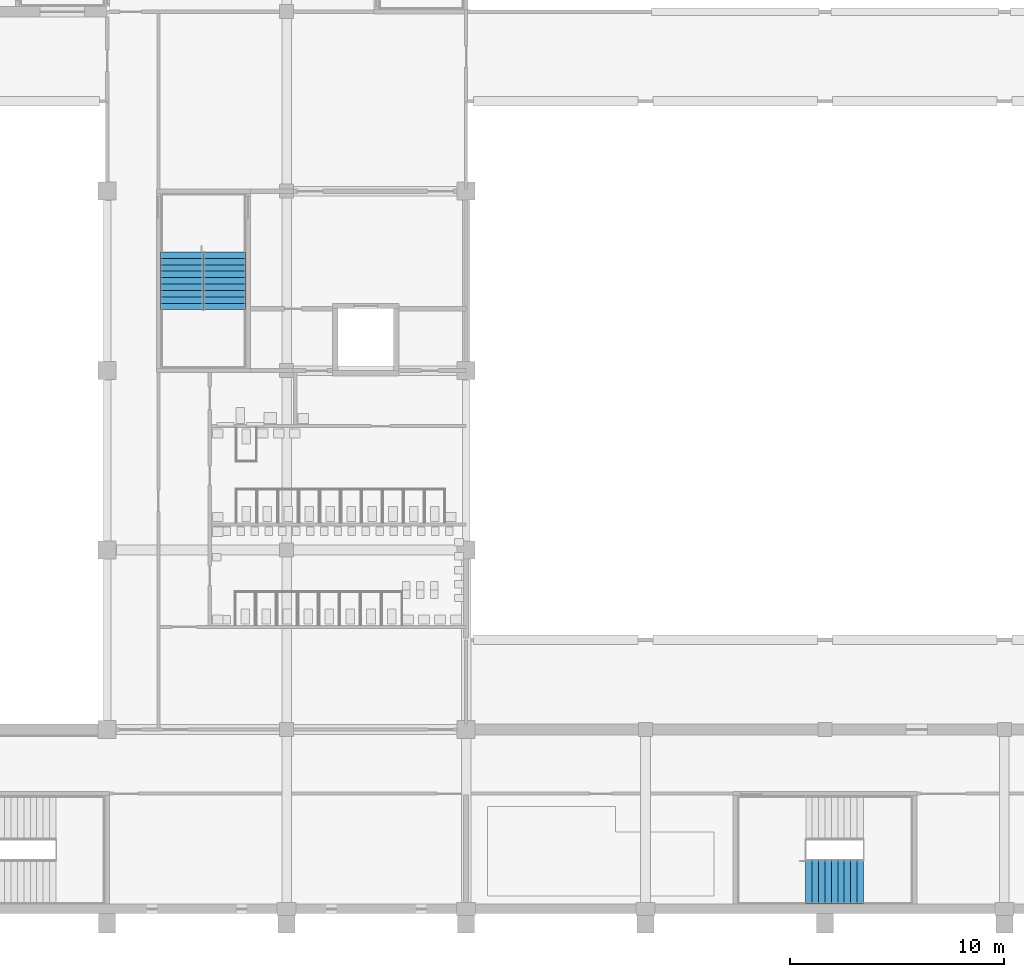
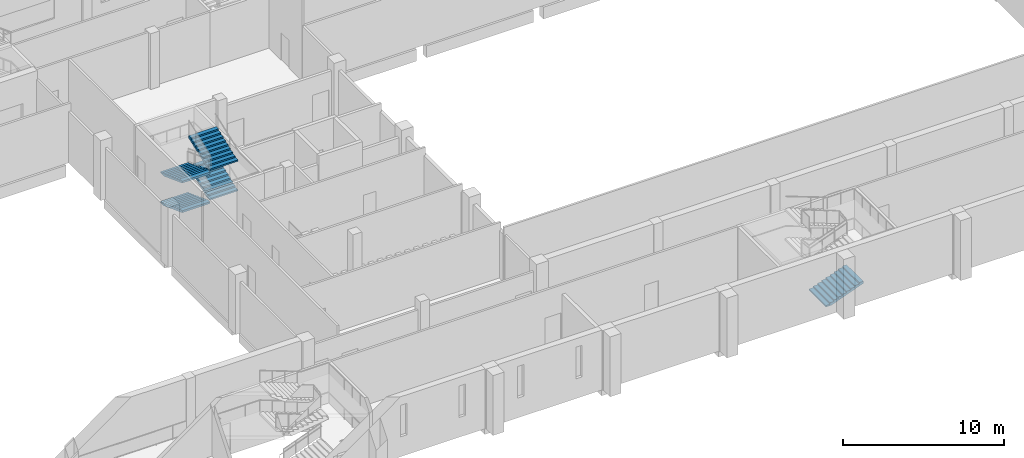
# One storey, part 41 of 64: 5 stair flights, 2 elements without a shape of their own.
"""IFC4 building model written with IfcOpenShell, lengths in metres."""

from ifc_helpers import new_model, si_unit, direction, frame, origin, place, context, subcontext, project, spatial, faceted_brep, material, type_object, element, aggregate, save


model = new_model("IFC4")

# Units and contexts
model_context = context("Model", 3, precision=1e-05, world=origin(), true_north=direction((0.0, 1.0)))
body_context = subcontext(model_context, "Body", "Model", "MODEL_VIEW")
ifc_project = project(units=[si_unit("LENGTHUNIT", "METRE"), si_unit("AREAUNIT", "SQUARE_METRE"), si_unit("VOLUMEUNIT", "CUBIC_METRE"), si_unit("PLANEANGLEUNIT", "RADIAN"), si_unit("MASSUNIT", "GRAM", prefix="KILO")], contexts=[model_context])

# Site, building, storey
site_placement = place(None, origin())
site = spatial("IfcSite", under=ifc_project, at=site_placement, CompositionType="ELEMENT")
building_placement = place(site_placement, origin())
building = spatial("IfcBuilding", under=site, at=building_placement, Name="Rulbaag Community and Learning Centre", CompositionType="ELEMENT")
storey_placement = place(building_placement, frame((0.0, 0.0, 5.39990234375)))
storey = spatial("IfcBuildingStorey", under=building, at=storey_placement, Name="L01", CompositionType="ELEMENT", Elevation=5.39990234375)

# Stair, stair flights
ifc_material = material(Name="Concrete M40", Category="concrete")
stair_type_1 = type_object("IfcStairType", Name="ST-2000 STAIR 2000 WIDE", PredefinedType="HALF_TURN_STAIR", material=ifc_material)
stair_1_placement = place(storey_placement, origin())
stair_1 = element("IfcStair", 1, at=stair_1_placement, inside=storey, type_object=stair_type_1, Name="Stair ST-H1 L01", PredefinedType="HALF_TURN_STAIR")
stair_flight_type_1 = type_object("IfcStairFlightType", Name="FL-2000 FLIGHT 2000 WIDE Concrete M40", PredefinedType="STRAIGHT", material=ifc_material)
stair_flight_1_placement = place(storey_placement, frame((28.699951171875, 30.75, 0.0), z_axis=(0.0, 0.0, 1.0), x_axis=(0.0, -1.0, 0.0)))
stair_flight_1 = element("IfcStairFlight", 2, at=stair_flight_1_placement, type_object=stair_flight_type_1, Name="ST-H1 flight 1", NumberOfRisers=10, NumberOfTreads=9, PredefinedType="STRAIGHT", RiserHeight=0.1125, TreadLength=0.3, context=body_context, shape_type="Brep", body=[
    faceted_brep([(0.3984375, -1.0, 0.0), (2.699951171875, -1.0, 0.863037109375), (2.699951171875, -1.0, 1.012451171875), (2.39990234375, -1.0, 1.012451171875), (2.39990234375, -1.0, 0.89990234375), (2.10009765625, -1.0, 0.89990234375), (2.10009765625, -1.0, 0.78759765625), (1.800048828125, -1.0, 0.78759765625), (1.800048828125, -1.0, 0.675048828125), (1.5, -1.0, 0.675048828125), (1.5, -1.0, 0.5625), (1.199951171875, -1.0, 0.5625), (1.199951171875, -1.0, 0.449951171875), (0.89990234375, -1.0, 0.449951171875), (0.89990234375, -1.0, 0.33740234375), (0.60009765625, -1.0, 0.33740234375), (0.60009765625, -1.0, 0.22509765625), (0.300048828125, -1.0, 0.22509765625), (0.300048828125, -1.0, 0.112548828125), (0.0, -1.0, 0.112548828125), (0.0, -1.0, 0.0), (0.0, 1.0, 0.0), (0.0, 1.0, 0.112548828125), (0.300048828125, 1.0, 0.112548828125), (0.300048828125, 1.0, 0.22509765625), (0.60009765625, 1.0, 0.22509765625), (0.60009765625, 1.0, 0.33740234375), (0.89990234375, 1.0, 0.33740234375), (0.89990234375, 1.0, 0.449951171875), (1.199951171875, 1.0, 0.449951171875), (1.199951171875, 1.0, 0.5625), (1.5, 1.0, 0.5625), (1.5, 1.0, 0.675048828125), (1.800048828125, 1.0, 0.675048828125), (1.800048828125, 1.0, 0.78759765625), (2.10009765625, 1.0, 0.78759765625), (2.10009765625, 1.0, 0.89990234375), (2.39990234375, 1.0, 0.89990234375), (2.39990234375, 1.0, 1.012451171875), (2.699951171875, 1.0, 1.012451171875), (2.699951171875, 1.0, 0.863037109375), (0.3984375, 1.0, 0.0), (0.0, -0.333251953125, 0.112548828125), (0.0, -0.333251953125, 0.0), (0.0, 0.333251953125, 0.112548828125), (0.0, 0.333251953125, 0.0), (0.300048828125, -0.333251953125, 0.112548828125), (0.300048828125, 0.333251953125, 0.112548828125), (0.300048828125, -0.333251953125, 0.22509765625), (0.300048828125, 0.333251953125, 0.22509765625), (0.60009765625, -0.333251953125, 0.22509765625), (0.60009765625, 0.333251953125, 0.22509765625), (0.60009765625, -0.333251953125, 0.33740234375), (0.60009765625, 0.333251953125, 0.33740234375), (0.89990234375, -0.333251953125, 0.33740234375), (0.89990234375, 0.333251953125, 0.33740234375), (0.89990234375, -0.333251953125, 0.449951171875), (0.89990234375, 0.333251953125, 0.449951171875), (1.199951171875, -0.333251953125, 0.449951171875), (1.199951171875, 0.333251953125, 0.449951171875), (1.199951171875, -0.333251953125, 0.5625), (1.199951171875, 0.333251953125, 0.5625), (1.5, -0.333251953125, 0.5625), (1.5, 0.333251953125, 0.5625), (1.5, -0.333251953125, 0.675048828125), (1.5, 0.333251953125, 0.675048828125), (1.800048828125, -0.333251953125, 0.675048828125), (1.800048828125, 0.333251953125, 0.675048828125), (1.800048828125, -0.333251953125, 0.78759765625), (1.800048828125, 0.333251953125, 0.78759765625), (2.10009765625, -0.333251953125, 0.78759765625), (2.10009765625, 0.333251953125, 0.78759765625), (2.10009765625, -0.333251953125, 0.89990234375), (2.10009765625, 0.333251953125, 0.89990234375), (2.39990234375, -0.333251953125, 0.89990234375), (2.39990234375, 0.333251953125, 0.89990234375), (2.39990234375, -0.333251953125, 1.012451171875), (2.39990234375, 0.333251953125, 1.012451171875), (2.699951171875, -0.333251953125, 1.012451171875), (2.699951171875, 0.333251953125, 1.012451171875), (2.699951171875, -0.333251953125, 0.863037109375), (2.699951171875, 0.333251953125, 0.863037109375), (0.3984375, -0.333251953125, 0.0), (0.3984375, 0.333251953125, 0.0)], [[[0, 1, 2, 3, 4, 5, 6, 7, 8, 9, 10, 11, 12, 13, 14, 15, 16, 17, 18, 19, 20]], [[21, 22, 23, 24, 25, 26, 27, 28, 29, 30, 31, 32, 33, 34, 35, 36, 37, 38, 39, 40, 41]], [[20, 19, 42, 43]], [[43, 42, 44, 45]], [[45, 44, 22, 21]], [[19, 18, 46, 42]], [[42, 46, 47, 44]], [[44, 47, 23, 22]], [[18, 17, 48, 46]], [[46, 48, 49, 47]], [[47, 49, 24, 23]], [[17, 16, 50, 48]], [[48, 50, 51, 49]], [[49, 51, 25, 24]], [[16, 15, 52, 50]], [[50, 52, 53, 51]], [[51, 53, 26, 25]], [[15, 14, 54, 52]], [[52, 54, 55, 53]], [[53, 55, 27, 26]], [[14, 13, 56, 54]], [[54, 56, 57, 55]], [[55, 57, 28, 27]], [[13, 12, 58, 56]], [[56, 58, 59, 57]], [[57, 59, 29, 28]], [[12, 11, 60, 58]], [[58, 60, 61, 59]], [[59, 61, 30, 29]], [[11, 10, 62, 60]], [[60, 62, 63, 61]], [[61, 63, 31, 30]], [[10, 9, 64, 62]], [[62, 64, 65, 63]], [[63, 65, 32, 31]], [[9, 8, 66, 64]], [[64, 66, 67, 65]], [[65, 67, 33, 32]], [[8, 7, 68, 66]], [[66, 68, 69, 67]], [[67, 69, 34, 33]], [[7, 6, 70, 68]], [[68, 70, 71, 69]], [[69, 71, 35, 34]], [[6, 5, 72, 70]], [[70, 72, 73, 71]], [[71, 73, 36, 35]], [[5, 4, 74, 72]], [[72, 74, 75, 73]], [[73, 75, 37, 36]], [[4, 3, 76, 74]], [[74, 76, 77, 75]], [[75, 77, 38, 37]], [[3, 2, 78, 76]], [[76, 78, 79, 77]], [[77, 79, 39, 38]], [[2, 1, 80, 78]], [[78, 80, 81, 79]], [[79, 81, 40, 39]], [[1, 0, 82, 80]], [[80, 82, 83, 81]], [[81, 83, 41, 40]], [[0, 20, 43, 82]], [[82, 43, 45, 83]], [[83, 45, 21, 41]]]),
])
stair_flight_2_placement = place(storey_placement, frame((30.699951171875, 28.050048828125, 1.125), z_axis=(0.0, 0.0, 1.0), x_axis=(0.0, 1.0, 0.0)))
stair_flight_2 = element("IfcStairFlight", 3, at=stair_flight_2_placement, type_object=stair_flight_type_1, Name="ST-H1 flight 2", NumberOfRisers=10, NumberOfTreads=9, PredefinedType="STRAIGHT", RiserHeight=0.1125, TreadLength=0.3, context=body_context, shape_type="Brep", body=[
    faceted_brep([(0.3984375, -1.0, 0.0), (2.699951171875, -1.0, 0.863037109375), (2.699951171875, -1.0, 1.012451171875), (2.39990234375, -1.0, 1.012451171875), (2.39990234375, -1.0, 0.89990234375), (2.10009765625, -1.0, 0.89990234375), (2.10009765625, -1.0, 0.78759765625), (1.800048828125, -1.0, 0.78759765625), (1.800048828125, -1.0, 0.675048828125), (1.5, -1.0, 0.675048828125), (1.5, -1.0, 0.5625), (1.199951171875, -1.0, 0.5625), (1.199951171875, -1.0, 0.449951171875), (0.89990234375, -1.0, 0.449951171875), (0.89990234375, -1.0, 0.33740234375), (0.60009765625, -1.0, 0.33740234375), (0.60009765625, -1.0, 0.22509765625), (0.300048828125, -1.0, 0.22509765625), (0.300048828125, -1.0, 0.112548828125), (0.0, -1.0, 0.112548828125), (0.0, -1.0, 0.0), (0.0, 1.0, 0.0), (0.0, 1.0, 0.112548828125), (0.300048828125, 1.0, 0.112548828125), (0.300048828125, 1.0, 0.22509765625), (0.60009765625, 1.0, 0.22509765625), (0.60009765625, 1.0, 0.33740234375), (0.89990234375, 1.0, 0.33740234375), (0.89990234375, 1.0, 0.449951171875), (1.199951171875, 1.0, 0.449951171875), (1.199951171875, 1.0, 0.5625), (1.5, 1.0, 0.5625), (1.5, 1.0, 0.675048828125), (1.800048828125, 1.0, 0.675048828125), (1.800048828125, 1.0, 0.78759765625), (2.10009765625, 1.0, 0.78759765625), (2.10009765625, 1.0, 0.89990234375), (2.39990234375, 1.0, 0.89990234375), (2.39990234375, 1.0, 1.012451171875), (2.699951171875, 1.0, 1.012451171875), (2.699951171875, 1.0, 0.863037109375), (0.3984375, 1.0, 0.0), (0.0, -0.333251953125, 0.112548828125), (0.0, -0.333251953125, 0.0), (0.0, 0.333251953125, 0.112548828125), (0.0, 0.333251953125, 0.0), (0.300048828125, -0.333251953125, 0.112548828125), (0.300048828125, 0.333251953125, 0.112548828125), (0.300048828125, -0.333251953125, 0.22509765625), (0.300048828125, 0.333251953125, 0.22509765625), (0.60009765625, -0.333251953125, 0.22509765625), (0.60009765625, 0.333251953125, 0.22509765625), (0.60009765625, -0.333251953125, 0.33740234375), (0.60009765625, 0.333251953125, 0.33740234375), (0.89990234375, -0.333251953125, 0.33740234375), (0.89990234375, 0.333251953125, 0.33740234375), (0.89990234375, -0.333251953125, 0.449951171875), (0.89990234375, 0.333251953125, 0.449951171875), (1.199951171875, -0.333251953125, 0.449951171875), (1.199951171875, 0.333251953125, 0.449951171875), (1.199951171875, -0.333251953125, 0.5625), (1.199951171875, 0.333251953125, 0.5625), (1.5, -0.333251953125, 0.5625), (1.5, 0.333251953125, 0.5625), (1.5, -0.333251953125, 0.675048828125), (1.5, 0.333251953125, 0.675048828125), (1.800048828125, -0.333251953125, 0.675048828125), (1.800048828125, 0.333251953125, 0.675048828125), (1.800048828125, -0.333251953125, 0.78759765625), (1.800048828125, 0.333251953125, 0.78759765625), (2.10009765625, -0.333251953125, 0.78759765625), (2.10009765625, 0.333251953125, 0.78759765625), (2.10009765625, -0.333251953125, 0.89990234375), (2.10009765625, 0.333251953125, 0.89990234375), (2.39990234375, -0.333251953125, 0.89990234375), (2.39990234375, 0.333251953125, 0.89990234375), (2.39990234375, -0.333251953125, 1.012451171875), (2.39990234375, 0.333251953125, 1.012451171875), (2.699951171875, -0.333251953125, 1.012451171875), (2.699951171875, 0.333251953125, 1.012451171875), (2.699951171875, -0.333251953125, 0.863037109375), (2.699951171875, 0.333251953125, 0.863037109375), (0.3984375, -0.333251953125, 0.0), (0.3984375, 0.333251953125, 0.0)], [[[0, 1, 2, 3, 4, 5, 6, 7, 8, 9, 10, 11, 12, 13, 14, 15, 16, 17, 18, 19, 20]], [[21, 22, 23, 24, 25, 26, 27, 28, 29, 30, 31, 32, 33, 34, 35, 36, 37, 38, 39, 40, 41]], [[20, 19, 42, 43]], [[43, 42, 44, 45]], [[45, 44, 22, 21]], [[19, 18, 46, 42]], [[42, 46, 47, 44]], [[44, 47, 23, 22]], [[18, 17, 48, 46]], [[46, 48, 49, 47]], [[47, 49, 24, 23]], [[17, 16, 50, 48]], [[48, 50, 51, 49]], [[49, 51, 25, 24]], [[16, 15, 52, 50]], [[50, 52, 53, 51]], [[51, 53, 26, 25]], [[15, 14, 54, 52]], [[52, 54, 55, 53]], [[53, 55, 27, 26]], [[14, 13, 56, 54]], [[54, 56, 57, 55]], [[55, 57, 28, 27]], [[13, 12, 58, 56]], [[56, 58, 59, 57]], [[57, 59, 29, 28]], [[12, 11, 60, 58]], [[58, 60, 61, 59]], [[59, 61, 30, 29]], [[11, 10, 62, 60]], [[60, 62, 63, 61]], [[61, 63, 31, 30]], [[10, 9, 64, 62]], [[62, 64, 65, 63]], [[63, 65, 32, 31]], [[9, 8, 66, 64]], [[64, 66, 67, 65]], [[65, 67, 33, 32]], [[8, 7, 68, 66]], [[66, 68, 69, 67]], [[67, 69, 34, 33]], [[7, 6, 70, 68]], [[68, 70, 71, 69]], [[69, 71, 35, 34]], [[6, 5, 72, 70]], [[70, 72, 73, 71]], [[71, 73, 36, 35]], [[5, 4, 74, 72]], [[72, 74, 75, 73]], [[73, 75, 37, 36]], [[4, 3, 76, 74]], [[74, 76, 77, 75]], [[75, 77, 38, 37]], [[3, 2, 78, 76]], [[76, 78, 79, 77]], [[77, 79, 39, 38]], [[2, 1, 80, 78]], [[78, 80, 81, 79]], [[79, 81, 40, 39]], [[1, 0, 82, 80]], [[80, 82, 83, 81]], [[81, 83, 41, 40]], [[0, 20, 43, 82]], [[82, 43, 45, 83]], [[83, 45, 21, 41]]]),
])
stair_flight_3_placement = place(storey_placement, frame((28.699951171875, 30.75, 2.25), z_axis=(0.0, 0.0, 1.0), x_axis=(0.0, -1.0, 0.0)))
stair_flight_3 = element("IfcStairFlight", 4, at=stair_flight_3_placement, type_object=stair_flight_type_1, Name="ST-H1 flight 3", NumberOfRisers=10, NumberOfTreads=9, PredefinedType="STRAIGHT", RiserHeight=0.1125, TreadLength=0.3, context=body_context, shape_type="Brep", body=[
    faceted_brep([(0.3984375, -1.0, 0.0), (2.699951171875, -1.0, 0.863037109375), (2.699951171875, -1.0, 1.012451171875), (2.39990234375, -1.0, 1.012451171875), (2.39990234375, -1.0, 0.89990234375), (2.10009765625, -1.0, 0.89990234375), (2.10009765625, -1.0, 0.78759765625), (1.800048828125, -1.0, 0.78759765625), (1.800048828125, -1.0, 0.675048828125), (1.5, -1.0, 0.675048828125), (1.5, -1.0, 0.5625), (1.199951171875, -1.0, 0.5625), (1.199951171875, -1.0, 0.449951171875), (0.89990234375, -1.0, 0.449951171875), (0.89990234375, -1.0, 0.33740234375), (0.60009765625, -1.0, 0.33740234375), (0.60009765625, -1.0, 0.22509765625), (0.300048828125, -1.0, 0.22509765625), (0.300048828125, -1.0, 0.112548828125), (0.0, -1.0, 0.112548828125), (0.0, -1.0, 0.0), (0.0, 1.0, 0.0), (0.0, 1.0, 0.112548828125), (0.300048828125, 1.0, 0.112548828125), (0.300048828125, 1.0, 0.22509765625), (0.60009765625, 1.0, 0.22509765625), (0.60009765625, 1.0, 0.33740234375), (0.89990234375, 1.0, 0.33740234375), (0.89990234375, 1.0, 0.449951171875), (1.199951171875, 1.0, 0.449951171875), (1.199951171875, 1.0, 0.5625), (1.5, 1.0, 0.5625), (1.5, 1.0, 0.675048828125), (1.800048828125, 1.0, 0.675048828125), (1.800048828125, 1.0, 0.78759765625), (2.10009765625, 1.0, 0.78759765625), (2.10009765625, 1.0, 0.89990234375), (2.39990234375, 1.0, 0.89990234375), (2.39990234375, 1.0, 1.012451171875), (2.699951171875, 1.0, 1.012451171875), (2.699951171875, 1.0, 0.863037109375), (0.3984375, 1.0, 0.0), (0.0, -0.333251953125, 0.112548828125), (0.0, -0.333251953125, 0.0), (0.0, 0.333251953125, 0.112548828125), (0.0, 0.333251953125, 0.0), (0.300048828125, -0.333251953125, 0.112548828125), (0.300048828125, 0.333251953125, 0.112548828125), (0.300048828125, -0.333251953125, 0.22509765625), (0.300048828125, 0.333251953125, 0.22509765625), (0.60009765625, -0.333251953125, 0.22509765625), (0.60009765625, 0.333251953125, 0.22509765625), (0.60009765625, -0.333251953125, 0.33740234375), (0.60009765625, 0.333251953125, 0.33740234375), (0.89990234375, -0.333251953125, 0.33740234375), (0.89990234375, 0.333251953125, 0.33740234375), (0.89990234375, -0.333251953125, 0.449951171875), (0.89990234375, 0.333251953125, 0.449951171875), (1.199951171875, -0.333251953125, 0.449951171875), (1.199951171875, 0.333251953125, 0.449951171875), (1.199951171875, -0.333251953125, 0.5625), (1.199951171875, 0.333251953125, 0.5625), (1.5, -0.333251953125, 0.5625), (1.5, 0.333251953125, 0.5625), (1.5, -0.333251953125, 0.675048828125), (1.5, 0.333251953125, 0.675048828125), (1.800048828125, -0.333251953125, 0.675048828125), (1.800048828125, 0.333251953125, 0.675048828125), (1.800048828125, -0.333251953125, 0.78759765625), (1.800048828125, 0.333251953125, 0.78759765625), (2.10009765625, -0.333251953125, 0.78759765625), (2.10009765625, 0.333251953125, 0.78759765625), (2.10009765625, -0.333251953125, 0.89990234375), (2.10009765625, 0.333251953125, 0.89990234375), (2.39990234375, -0.333251953125, 0.89990234375), (2.39990234375, 0.333251953125, 0.89990234375), (2.39990234375, -0.333251953125, 1.012451171875), (2.39990234375, 0.333251953125, 1.012451171875), (2.699951171875, -0.333251953125, 1.012451171875), (2.699951171875, 0.333251953125, 1.012451171875), (2.699951171875, -0.333251953125, 0.863037109375), (2.699951171875, 0.333251953125, 0.863037109375), (0.3984375, -0.333251953125, 0.0), (0.3984375, 0.333251953125, 0.0)], [[[0, 1, 2, 3, 4, 5, 6, 7, 8, 9, 10, 11, 12, 13, 14, 15, 16, 17, 18, 19, 20]], [[21, 22, 23, 24, 25, 26, 27, 28, 29, 30, 31, 32, 33, 34, 35, 36, 37, 38, 39, 40, 41]], [[20, 19, 42, 43]], [[43, 42, 44, 45]], [[45, 44, 22, 21]], [[19, 18, 46, 42]], [[42, 46, 47, 44]], [[44, 47, 23, 22]], [[18, 17, 48, 46]], [[46, 48, 49, 47]], [[47, 49, 24, 23]], [[17, 16, 50, 48]], [[48, 50, 51, 49]], [[49, 51, 25, 24]], [[16, 15, 52, 50]], [[50, 52, 53, 51]], [[51, 53, 26, 25]], [[15, 14, 54, 52]], [[52, 54, 55, 53]], [[53, 55, 27, 26]], [[14, 13, 56, 54]], [[54, 56, 57, 55]], [[55, 57, 28, 27]], [[13, 12, 58, 56]], [[56, 58, 59, 57]], [[57, 59, 29, 28]], [[12, 11, 60, 58]], [[58, 60, 61, 59]], [[59, 61, 30, 29]], [[11, 10, 62, 60]], [[60, 62, 63, 61]], [[61, 63, 31, 30]], [[10, 9, 64, 62]], [[62, 64, 65, 63]], [[63, 65, 32, 31]], [[9, 8, 66, 64]], [[64, 66, 67, 65]], [[65, 67, 33, 32]], [[8, 7, 68, 66]], [[66, 68, 69, 67]], [[67, 69, 34, 33]], [[7, 6, 70, 68]], [[68, 70, 71, 69]], [[69, 71, 35, 34]], [[6, 5, 72, 70]], [[70, 72, 73, 71]], [[71, 73, 36, 35]], [[5, 4, 74, 72]], [[72, 74, 75, 73]], [[73, 75, 37, 36]], [[4, 3, 76, 74]], [[74, 76, 77, 75]], [[75, 77, 38, 37]], [[3, 2, 78, 76]], [[76, 78, 79, 77]], [[77, 79, 39, 38]], [[2, 1, 80, 78]], [[78, 80, 81, 79]], [[79, 81, 40, 39]], [[1, 0, 82, 80]], [[80, 82, 83, 81]], [[81, 83, 41, 40]], [[0, 20, 43, 82]], [[82, 43, 45, 83]], [[83, 45, 21, 41]]]),
])
stair_flight_4_placement = place(storey_placement, frame((30.699951171875, 28.050048828125, 3.375), z_axis=(0.0, 0.0, 1.0), x_axis=(0.0, 1.0, 0.0)))
stair_flight_4 = element("IfcStairFlight", 5, at=stair_flight_4_placement, type_object=stair_flight_type_1, Name="ST-H1 flight 4", NumberOfRisers=10, NumberOfTreads=9, PredefinedType="STRAIGHT", RiserHeight=0.1125, TreadLength=0.3, context=body_context, shape_type="Brep", body=[
    faceted_brep([(0.3984375, -1.0, 0.0), (2.699951171875, -1.0, 0.863037109375), (2.699951171875, -1.0, 1.012451171875), (2.39990234375, -1.0, 1.012451171875), (2.39990234375, -1.0, 0.89990234375), (2.10009765625, -1.0, 0.89990234375), (2.10009765625, -1.0, 0.78759765625), (1.800048828125, -1.0, 0.78759765625), (1.800048828125, -1.0, 0.675048828125), (1.5, -1.0, 0.675048828125), (1.5, -1.0, 0.5625), (1.199951171875, -1.0, 0.5625), (1.199951171875, -1.0, 0.449951171875), (0.89990234375, -1.0, 0.449951171875), (0.89990234375, -1.0, 0.33740234375), (0.60009765625, -1.0, 0.33740234375), (0.60009765625, -1.0, 0.22509765625), (0.300048828125, -1.0, 0.22509765625), (0.300048828125, -1.0, 0.112548828125), (0.0, -1.0, 0.112548828125), (0.0, -1.0, 0.0), (0.0, 1.0, 0.0), (0.0, 1.0, 0.112548828125), (0.300048828125, 1.0, 0.112548828125), (0.300048828125, 1.0, 0.22509765625), (0.60009765625, 1.0, 0.22509765625), (0.60009765625, 1.0, 0.33740234375), (0.89990234375, 1.0, 0.33740234375), (0.89990234375, 1.0, 0.449951171875), (1.199951171875, 1.0, 0.449951171875), (1.199951171875, 1.0, 0.5625), (1.5, 1.0, 0.5625), (1.5, 1.0, 0.675048828125), (1.800048828125, 1.0, 0.675048828125), (1.800048828125, 1.0, 0.78759765625), (2.10009765625, 1.0, 0.78759765625), (2.10009765625, 1.0, 0.89990234375), (2.39990234375, 1.0, 0.89990234375), (2.39990234375, 1.0, 1.012451171875), (2.699951171875, 1.0, 1.012451171875), (2.699951171875, 1.0, 0.863037109375), (0.3984375, 1.0, 0.0), (0.0, -0.333251953125, 0.112548828125), (0.0, -0.333251953125, 0.0), (0.0, 0.333251953125, 0.112548828125), (0.0, 0.333251953125, 0.0), (0.300048828125, -0.333251953125, 0.112548828125), (0.300048828125, 0.333251953125, 0.112548828125), (0.300048828125, -0.333251953125, 0.22509765625), (0.300048828125, 0.333251953125, 0.22509765625), (0.60009765625, -0.333251953125, 0.22509765625), (0.60009765625, 0.333251953125, 0.22509765625), (0.60009765625, -0.333251953125, 0.33740234375), (0.60009765625, 0.333251953125, 0.33740234375), (0.89990234375, -0.333251953125, 0.33740234375), (0.89990234375, 0.333251953125, 0.33740234375), (0.89990234375, -0.333251953125, 0.449951171875), (0.89990234375, 0.333251953125, 0.449951171875), (1.199951171875, -0.333251953125, 0.449951171875), (1.199951171875, 0.333251953125, 0.449951171875), (1.199951171875, -0.333251953125, 0.5625), (1.199951171875, 0.333251953125, 0.5625), (1.5, -0.333251953125, 0.5625), (1.5, 0.333251953125, 0.5625), (1.5, -0.333251953125, 0.675048828125), (1.5, 0.333251953125, 0.675048828125), (1.800048828125, -0.333251953125, 0.675048828125), (1.800048828125, 0.333251953125, 0.675048828125), (1.800048828125, -0.333251953125, 0.78759765625), (1.800048828125, 0.333251953125, 0.78759765625), (2.10009765625, -0.333251953125, 0.78759765625), (2.10009765625, 0.333251953125, 0.78759765625), (2.10009765625, -0.333251953125, 0.89990234375), (2.10009765625, 0.333251953125, 0.89990234375), (2.39990234375, -0.333251953125, 0.89990234375), (2.39990234375, 0.333251953125, 0.89990234375), (2.39990234375, -0.333251953125, 1.012451171875), (2.39990234375, 0.333251953125, 1.012451171875), (2.699951171875, -0.333251953125, 1.012451171875), (2.699951171875, 0.333251953125, 1.012451171875), (2.699951171875, -0.333251953125, 0.863037109375), (2.699951171875, 0.333251953125, 0.863037109375), (0.3984375, -0.333251953125, 0.0), (0.3984375, 0.333251953125, 0.0)], [[[0, 1, 2, 3, 4, 5, 6, 7, 8, 9, 10, 11, 12, 13, 14, 15, 16, 17, 18, 19, 20]], [[21, 22, 23, 24, 25, 26, 27, 28, 29, 30, 31, 32, 33, 34, 35, 36, 37, 38, 39, 40, 41]], [[20, 19, 42, 43]], [[43, 42, 44, 45]], [[45, 44, 22, 21]], [[19, 18, 46, 42]], [[42, 46, 47, 44]], [[44, 47, 23, 22]], [[18, 17, 48, 46]], [[46, 48, 49, 47]], [[47, 49, 24, 23]], [[17, 16, 50, 48]], [[48, 50, 51, 49]], [[49, 51, 25, 24]], [[16, 15, 52, 50]], [[50, 52, 53, 51]], [[51, 53, 26, 25]], [[15, 14, 54, 52]], [[52, 54, 55, 53]], [[53, 55, 27, 26]], [[14, 13, 56, 54]], [[54, 56, 57, 55]], [[55, 57, 28, 27]], [[13, 12, 58, 56]], [[56, 58, 59, 57]], [[57, 59, 29, 28]], [[12, 11, 60, 58]], [[58, 60, 61, 59]], [[59, 61, 30, 29]], [[11, 10, 62, 60]], [[60, 62, 63, 61]], [[61, 63, 31, 30]], [[10, 9, 64, 62]], [[62, 64, 65, 63]], [[63, 65, 32, 31]], [[9, 8, 66, 64]], [[64, 66, 67, 65]], [[65, 67, 33, 32]], [[8, 7, 68, 66]], [[66, 68, 69, 67]], [[67, 69, 34, 33]], [[7, 6, 70, 68]], [[68, 70, 71, 69]], [[69, 71, 35, 34]], [[6, 5, 72, 70]], [[70, 72, 73, 71]], [[71, 73, 36, 35]], [[5, 4, 74, 72]], [[72, 74, 75, 73]], [[73, 75, 37, 36]], [[4, 3, 76, 74]], [[74, 76, 77, 75]], [[75, 77, 38, 37]], [[3, 2, 78, 76]], [[76, 78, 79, 77]], [[77, 79, 39, 38]], [[2, 1, 80, 78]], [[78, 80, 81, 79]], [[79, 81, 40, 39]], [[1, 0, 82, 80]], [[80, 82, 83, 81]], [[81, 83, 41, 40]], [[0, 20, 43, 82]], [[82, 43, 45, 83]], [[83, 45, 21, 41]]]),
])
aggregate(stair_1, [stair_flight_1, stair_flight_2, stair_flight_3, stair_flight_4])

# Stair, stair flight
stair_type_2 = type_object("IfcStairType", Name="ST-2100 STAIR 2100 WIDE", PredefinedType="HALF_TURN_STAIR", material=ifc_material)
stair_2_placement = place(storey_placement, origin())
stair_2 = element("IfcStair", 6, at=stair_2_placement, inside=storey, type_object=stair_type_2, Name="Stair ST-H8 L01", PredefinedType="HALF_TURN_STAIR")
stair_flight_type_2 = type_object("IfcStairFlightType", Name="FL-2100 FLIGHT 2100 WIDE Concrete M40", PredefinedType="STRAIGHT", material=ifc_material)
stair_flight_5_placement = place(storey_placement, frame((57.89990234375, 1.27490234375, 0.0), z_axis=(0.0, 0.0, 1.0), x_axis=(1.0, 0.0, 0.0)))
stair_flight_5 = element("IfcStairFlight", 7, at=stair_flight_5_placement, type_object=stair_flight_type_2, Name="ST-H8 flight 1", NumberOfRisers=10, NumberOfTreads=9, PredefinedType="STRAIGHT", RiserHeight=0.1125, TreadLength=0.3, context=body_context, shape_type="Brep", body=[
    faceted_brep([(0.3984375, -1.050048828125, 0.0), (2.699951171875, -1.050048828125, 0.863037109375), (2.699951171875, -1.050048828125, 1.012451171875), (2.39990234375, -1.050048828125, 1.012451171875), (2.39990234375, -1.050048828125, 0.89990234375), (2.10009765625, -1.050048828125, 0.89990234375), (2.10009765625, -1.050048828125, 0.78759765625), (1.800048828125, -1.050048828125, 0.78759765625), (1.800048828125, -1.050048828125, 0.675048828125), (1.5, -1.050048828125, 0.675048828125), (1.5, -1.050048828125, 0.5625), (1.199951171875, -1.050048828125, 0.5625), (1.199951171875, -1.050048828125, 0.449951171875), (0.89990234375, -1.050048828125, 0.449951171875), (0.89990234375, -1.050048828125, 0.33740234375), (0.60009765625, -1.050048828125, 0.33740234375), (0.60009765625, -1.050048828125, 0.22509765625), (0.300048828125, -1.050048828125, 0.22509765625), (0.300048828125, -1.050048828125, 0.112548828125), (0.0, -1.050048828125, 0.112548828125), (0.0, -1.050048828125, 0.0), (0.0, 1.050048828125, 0.0), (0.0, 1.050048828125, 0.112548828125), (0.300048828125, 1.050048828125, 0.112548828125), (0.300048828125, 1.050048828125, 0.22509765625), (0.60009765625, 1.050048828125, 0.22509765625), (0.60009765625, 1.050048828125, 0.33740234375), (0.89990234375, 1.050048828125, 0.33740234375), (0.89990234375, 1.050048828125, 0.449951171875), (1.199951171875, 1.050048828125, 0.449951171875), (1.199951171875, 1.050048828125, 0.5625), (1.5, 1.050048828125, 0.5625), (1.5, 1.050048828125, 0.675048828125), (1.800048828125, 1.050048828125, 0.675048828125), (1.800048828125, 1.050048828125, 0.78759765625), (2.10009765625, 1.050048828125, 0.78759765625), (2.10009765625, 1.050048828125, 0.89990234375), (2.39990234375, 1.050048828125, 0.89990234375), (2.39990234375, 1.050048828125, 1.012451171875), (2.699951171875, 1.050048828125, 1.012451171875), (2.699951171875, 1.050048828125, 0.863037109375), (0.3984375, 1.050048828125, 0.0), (0.0, -0.52490234375, 0.112548828125), (0.0, -0.52490234375, 0.0), (0.0, 0.0, 0.112548828125), (0.0, 0.0, 0.0), (0.0, 0.52490234375, 0.112548828125), (0.0, 0.52490234375, 0.0), (0.300048828125, -0.52490234375, 0.112548828125), (0.300048828125, 0.0, 0.112548828125), (0.300048828125, 0.52490234375, 0.112548828125), (0.300048828125, -0.52490234375, 0.22509765625), (0.300048828125, 0.0, 0.22509765625), (0.300048828125, 0.52490234375, 0.22509765625), (0.60009765625, -0.52490234375, 0.22509765625), (0.60009765625, 0.0, 0.22509765625), (0.60009765625, 0.52490234375, 0.22509765625), (0.60009765625, -0.52490234375, 0.33740234375), (0.60009765625, 0.0, 0.33740234375), (0.60009765625, 0.52490234375, 0.33740234375), (0.89990234375, -0.52490234375, 0.33740234375), (0.89990234375, 0.0, 0.33740234375), (0.89990234375, 0.52490234375, 0.33740234375), (0.89990234375, -0.52490234375, 0.449951171875), (0.89990234375, 0.0, 0.449951171875), (0.89990234375, 0.52490234375, 0.449951171875), (1.199951171875, -0.52490234375, 0.449951171875), (1.199951171875, 0.0, 0.449951171875), (1.199951171875, 0.52490234375, 0.449951171875), (1.199951171875, -0.52490234375, 0.5625), (1.199951171875, 0.0, 0.5625), (1.199951171875, 0.52490234375, 0.5625), (1.5, -0.52490234375, 0.5625), (1.5, 0.0, 0.5625), (1.5, 0.52490234375, 0.5625), (1.5, -0.52490234375, 0.675048828125), (1.5, 0.0, 0.675048828125), (1.5, 0.52490234375, 0.675048828125), (1.800048828125, -0.52490234375, 0.675048828125), (1.800048828125, 0.0, 0.675048828125), (1.800048828125, 0.52490234375, 0.675048828125), (1.800048828125, -0.52490234375, 0.78759765625), (1.800048828125, 0.0, 0.78759765625), (1.800048828125, 0.52490234375, 0.78759765625), (2.10009765625, -0.52490234375, 0.78759765625), (2.10009765625, 0.0, 0.78759765625), (2.10009765625, 0.52490234375, 0.78759765625), (2.10009765625, -0.52490234375, 0.89990234375), (2.10009765625, 0.0, 0.89990234375), (2.10009765625, 0.52490234375, 0.89990234375), (2.39990234375, -0.52490234375, 0.89990234375), (2.39990234375, 0.0, 0.89990234375), (2.39990234375, 0.52490234375, 0.89990234375), (2.39990234375, -0.52490234375, 1.012451171875), (2.39990234375, 0.0, 1.012451171875), (2.39990234375, 0.52490234375, 1.012451171875), (2.699951171875, -0.52490234375, 1.012451171875), (2.699951171875, 0.0, 1.012451171875), (2.699951171875, 0.52490234375, 1.012451171875), (2.699951171875, -0.52490234375, 0.863037109375), (2.699951171875, 0.0, 0.863037109375), (2.699951171875, 0.52490234375, 0.863037109375), (0.3984375, -0.52490234375, 0.0), (0.3984375, 0.0, 0.0), (0.3984375, 0.52490234375, 0.0)], [[[0, 1, 2, 3, 4, 5, 6, 7, 8, 9, 10, 11, 12, 13, 14, 15, 16, 17, 18, 19, 20]], [[21, 22, 23, 24, 25, 26, 27, 28, 29, 30, 31, 32, 33, 34, 35, 36, 37, 38, 39, 40, 41]], [[20, 19, 42, 43]], [[43, 42, 44, 45]], [[45, 44, 46, 47]], [[47, 46, 22, 21]], [[19, 18, 48, 42]], [[42, 48, 49, 44]], [[44, 49, 50, 46]], [[46, 50, 23, 22]], [[18, 17, 51, 48]], [[48, 51, 52, 49]], [[49, 52, 53, 50]], [[50, 53, 24, 23]], [[17, 16, 54, 51]], [[51, 54, 55, 52]], [[52, 55, 56, 53]], [[53, 56, 25, 24]], [[16, 15, 57, 54]], [[54, 57, 58, 55]], [[55, 58, 59, 56]], [[56, 59, 26, 25]], [[15, 14, 60, 57]], [[57, 60, 61, 58]], [[58, 61, 62, 59]], [[59, 62, 27, 26]], [[14, 13, 63, 60]], [[60, 63, 64, 61]], [[61, 64, 65, 62]], [[62, 65, 28, 27]], [[13, 12, 66, 63]], [[63, 66, 67, 64]], [[64, 67, 68, 65]], [[65, 68, 29, 28]], [[12, 11, 69, 66]], [[66, 69, 70, 67]], [[67, 70, 71, 68]], [[68, 71, 30, 29]], [[11, 10, 72, 69]], [[69, 72, 73, 70]], [[70, 73, 74, 71]], [[71, 74, 31, 30]], [[10, 9, 75, 72]], [[72, 75, 76, 73]], [[73, 76, 77, 74]], [[74, 77, 32, 31]], [[9, 8, 78, 75]], [[75, 78, 79, 76]], [[76, 79, 80, 77]], [[77, 80, 33, 32]], [[8, 7, 81, 78]], [[78, 81, 82, 79]], [[79, 82, 83, 80]], [[80, 83, 34, 33]], [[7, 6, 84, 81]], [[81, 84, 85, 82]], [[82, 85, 86, 83]], [[83, 86, 35, 34]], [[6, 5, 87, 84]], [[84, 87, 88, 85]], [[85, 88, 89, 86]], [[86, 89, 36, 35]], [[5, 4, 90, 87]], [[87, 90, 91, 88]], [[88, 91, 92, 89]], [[89, 92, 37, 36]], [[4, 3, 93, 90]], [[90, 93, 94, 91]], [[91, 94, 95, 92]], [[92, 95, 38, 37]], [[3, 2, 96, 93]], [[93, 96, 97, 94]], [[94, 97, 98, 95]], [[95, 98, 39, 38]], [[2, 1, 99, 96]], [[96, 99, 100, 97]], [[97, 100, 101, 98]], [[98, 101, 40, 39]], [[1, 0, 102, 99]], [[99, 102, 103, 100]], [[100, 103, 104, 101]], [[101, 104, 41, 40]], [[0, 20, 43, 102]], [[102, 43, 45, 103]], [[103, 45, 47, 104]], [[104, 47, 21, 41]]]),
])
aggregate(stair_2, [stair_flight_5])

save(model, "model.ifc")
